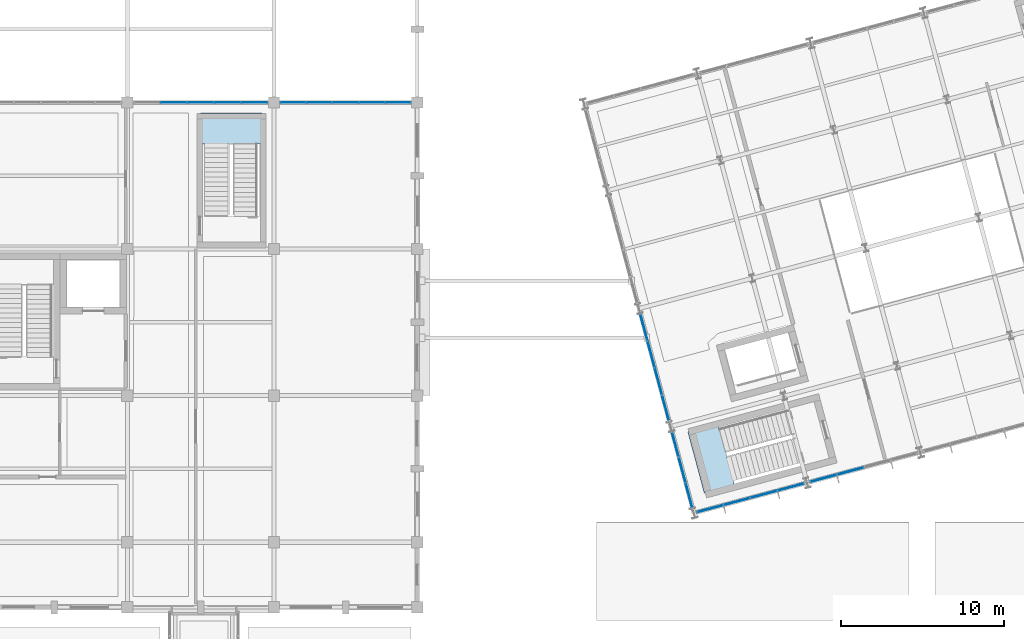
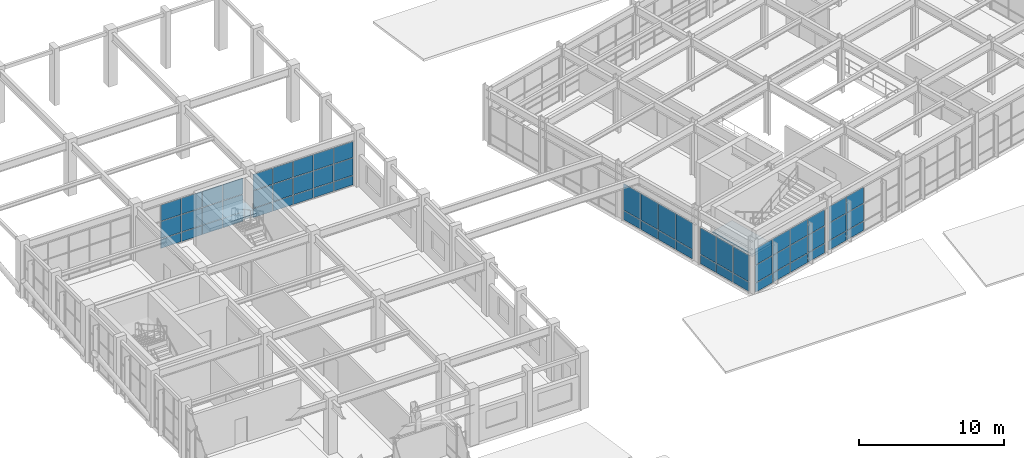
# One storey, part 73 of 104: 59 plates, 2 slabs, 8 elements without a shape of their own.
"""IFC4 building model written with IfcOpenShell, lengths in metres."""

from ifc_helpers import new_model, si_unit, direction, frame, origin, origin_2d, place, context, subcontext, project, spatial, polyline, rectangle, outline, extrude, material, layer, layer_set, type_object, element, aggregate, save


model = new_model("IFC4")

# Units and contexts
model_context = context("Model", 3, precision=1e-05, world=origin(), true_north=direction((0.0, 1.0)))
body_context = subcontext(model_context, "Body", "Model", "MODEL_VIEW")
ifc_project = project(units=[si_unit("LENGTHUNIT", "METRE"), si_unit("AREAUNIT", "SQUARE_METRE"), si_unit("VOLUMEUNIT", "CUBIC_METRE"), si_unit("PLANEANGLEUNIT", "RADIAN"), si_unit("MASSUNIT", "GRAM", prefix="KILO")], contexts=[model_context])

# Site, building, storey
site_placement = place(None, origin())
site = spatial("IfcSite", under=ifc_project, at=site_placement, CompositionType="ELEMENT")
building_placement = place(site_placement, origin())
building = spatial("IfcBuilding", under=site, at=building_placement, Name="Ventoquebrada Cableway Terminal", CompositionType="ELEMENT")
storey_placement = place(building_placement, frame((0.0, 0.0, 4.800048828125)))
storey = spatial("IfcBuildingStorey", under=building, at=storey_placement, Name="L01", CompositionType="ELEMENT", Elevation=4.800048828125)

# Curtain wall, plates
ifc_material_1 = material(Name="Anodized thermally-broken aluminium", Category="aluminium")
ifc_layer_1 = layer(ifc_material_1, 0.159912109375)
ifc_layer_set_1 = layer_set([ifc_layer_1], Name="Anodized thermally-broken aluminium")
curtain_wall_type_1 = type_object("IfcCurtainWallType", Name="CW-T14", PredefinedType="USERDEFINED", material=ifc_layer_set_1)
curtain_wall_1_placement = place(storey_placement, origin())
curtain_wall_1 = element("IfcCurtainWall", 1, at=curtain_wall_1_placement, inside=storey, type_object=curtain_wall_type_1, Name="Unitised glazed curtain wall CW-031", ObjectType="UNITISED CURTAIN WALL", PredefinedType="USERDEFINED")
ifc_material_2 = material(Name="Double low-e laminated safety glazing", Category="glass")
ifc_layer_2 = layer(ifc_material_2, 0.031982421875)
ifc_layer_set_2 = layer_set([ifc_layer_2], Name="Double low-e laminated safety glazing")
plate_type_1 = type_object("IfcPlateType", Name="CWP-GL1", PredefinedType="CURTAIN_PANEL", material=ifc_layer_set_2)
plate_1_placement = place(storey_placement, frame((24.998046875, 95.0, 2.36328125), z_axis=(0.0, 0.0, 1.0), x_axis=(-1.0, 0.0, 0.0)))
plate_1 = element("IfcPlate", 2, at=plate_1_placement, type_object=plate_type_1, Name="Vision glazing panel PN-0305", PredefinedType="CURTAIN_PANEL", context=body_context, shape_type="SweptSolid", body=[
    extrude(rectangle(XDim=1.573974609375, YDim=0.031982421875, at=origin_2d()), origin(), (0.0, 0.0, 1.0), 1.34912109375),
])
plate_2_placement = place(storey_placement, frame((23.35791015625, 95.0, 0.875), z_axis=(0.0, 0.0, 1.0), x_axis=(-1.0, 0.0, 0.0)))
plate_2 = element("IfcPlate", 3, at=plate_2_placement, type_object=plate_type_1, Name="Vision glazing panel PN-0307", PredefinedType="CURTAIN_PANEL", context=body_context, shape_type="SweptSolid", body=[
    extrude(rectangle(XDim=1.60888671875, YDim=0.031982421875, at=origin_2d()), origin(), (0.0, 0.0, 1.0), 1.43994140625),
])
plate_3_placement = place(storey_placement, frame((21.699951171875, 95.0, 2.36328125), z_axis=(0.0, 0.0, 1.0), x_axis=(-1.0, 0.0, 0.0)))
plate_3 = element("IfcPlate", 4, at=plate_3_placement, type_object=plate_type_1, Name="Vision glazing panel PN-0311", PredefinedType="CURTAIN_PANEL", context=body_context, shape_type="SweptSolid", body=[
    extrude(rectangle(XDim=1.60888671875, YDim=0.031982421875, at=origin_2d()), origin(), (0.0, 0.0, 1.0), 1.34912109375),
])
plate_4_placement = place(storey_placement, frame((20.041015625, 95.0, 0.875), z_axis=(0.0, 0.0, 1.0), x_axis=(-1.0, 0.0, 0.0)))
plate_4 = element("IfcPlate", 5, at=plate_4_placement, type_object=plate_type_1, Name="Vision glazing panel PN-0313", PredefinedType="CURTAIN_PANEL", context=body_context, shape_type="SweptSolid", body=[
    extrude(rectangle(XDim=1.60888671875, YDim=0.031982421875, at=origin_2d()), origin(), (0.0, 0.0, 1.0), 1.43994140625),
])

ifc_layer_3 = layer(ifc_material_1, 0.159912109375)
ifc_layer_set_3 = layer_set([ifc_layer_3], Name="Anodized thermally-broken aluminium")
curtain_wall_type_2 = type_object("IfcCurtainWallType", Name="CW-T15", PredefinedType="USERDEFINED", material=ifc_layer_set_3)
curtain_wall_2_placement = place(storey_placement, origin())
curtain_wall_2 = element("IfcCurtainWall", 6, at=curtain_wall_2_placement, inside=storey, type_object=curtain_wall_type_2, Name="Unitised glazed curtain wall CW-032", ObjectType="UNITISED CURTAIN WALL", PredefinedType="USERDEFINED")
plate_5_placement = place(storey_placement, frame((33.819091796875, 95.0, 2.36328125), z_axis=(0.0, 0.0, 1.0), x_axis=(-1.0, 0.0, 0.0)))
plate_5 = element("IfcPlate", 7, at=plate_5_placement, type_object=plate_type_1, Name="Vision glazing panel PN-0320", PredefinedType="CURTAIN_PANEL", context=body_context, shape_type="SweptSolid", body=[
    extrude(rectangle(XDim=1.533935546875, YDim=0.031982421875, at=origin_2d()), origin(), (0.0, 0.0, 1.0), 1.34912109375),
])
plate_6_placement = place(storey_placement, frame((32.218017578125, 95.0, 0.875), z_axis=(0.0, 0.0, 1.0), x_axis=(-1.0, 0.0, 0.0)))
plate_6 = element("IfcPlate", 8, at=plate_6_placement, type_object=plate_type_1, Name="Vision glazing panel PN-0322", PredefinedType="CURTAIN_PANEL", context=body_context, shape_type="SweptSolid", body=[
    extrude(rectangle(XDim=1.569091796875, YDim=0.031982421875, at=origin_2d()), origin(), (0.0, 0.0, 1.0), 1.43994140625),
])
plate_7_placement = place(storey_placement, frame((30.60107421875, 95.0, 2.36328125), z_axis=(0.0, 0.0, 1.0), x_axis=(-1.0, 0.0, 0.0)))
plate_7 = element("IfcPlate", 9, at=plate_7_placement, type_object=plate_type_1, Name="Vision glazing panel PN-0326", PredefinedType="CURTAIN_PANEL", context=body_context, shape_type="SweptSolid", body=[
    extrude(rectangle(XDim=1.569091796875, YDim=0.031982421875, at=origin_2d()), origin(), (0.0, 0.0, 1.0), 1.34912109375),
])
plate_8_placement = place(storey_placement, frame((28.98193359375, 95.0, 0.875), z_axis=(0.0, 0.0, 1.0), x_axis=(-1.0, 0.0, 0.0)))
plate_8 = element("IfcPlate", 10, at=plate_8_placement, type_object=plate_type_1, Name="Vision glazing panel PN-0328", PredefinedType="CURTAIN_PANEL", context=body_context, shape_type="SweptSolid", body=[
    extrude(rectangle(XDim=1.569091796875, YDim=0.031982421875, at=origin_2d()), origin(), (0.0, 0.0, 1.0), 1.43994140625),
])
plate_9_placement = place(storey_placement, frame((27.381103515625, 95.0, 2.36328125), z_axis=(0.0, 0.0, 1.0), x_axis=(-1.0, 0.0, 0.0)))
plate_9 = element("IfcPlate", 11, at=plate_9_placement, type_object=plate_type_1, Name="Vision glazing panel PN-0332", PredefinedType="CURTAIN_PANEL", context=body_context, shape_type="SweptSolid", body=[
    extrude(rectangle(XDim=1.533935546875, YDim=0.031982421875, at=origin_2d()), origin(), (0.0, 0.0, 1.0), 1.34912109375),
])

ifc_layer_4 = layer(ifc_material_1, 0.159912109375)
ifc_layer_set_4 = layer_set([ifc_layer_4], Name="Anodized thermally-broken aluminium")
curtain_wall_type_3 = type_object("IfcCurtainWallType", Name="CW-T36", PredefinedType="USERDEFINED", material=ifc_layer_set_4)
curtain_wall_3_placement = place(storey_placement, origin())
curtain_wall_3 = element("IfcCurtainWall", 12, at=curtain_wall_3_placement, inside=storey, type_object=curtain_wall_type_3, Name="Unitised glazed curtain wall CW-083", ObjectType="UNITISED CURTAIN WALL", PredefinedType="USERDEFINED")
plate_10_placement = place(storey_placement, frame((52.986083984375, 70.053955078125, 2.369384765625), z_axis=(0.0, 0.0, 1.0), x_axis=(0.96593486019, 0.258785327773, 0.0)))
plate_10 = element("IfcPlate", 13, at=plate_10_placement, type_object=plate_type_1, Name="Vision glazing panel PN-0873", PredefinedType="CURTAIN_PANEL", context=body_context, shape_type="SweptSolid", body=[
    extrude(rectangle(XDim=1.632080078125, YDim=0.031982421875, at=origin_2d()), origin(), (0.0, 0.0, 1.0), 1.35302734375),
])
plate_11_placement = place(storey_placement, frame((54.626953125, 70.493896484375, 0.8740234375), z_axis=(0.0, 0.0, 1.0), x_axis=(0.96593486019, 0.258785327773, 0.0)))
plate_11 = element("IfcPlate", 14, at=plate_11_placement, type_object=plate_type_1, Name="Vision glazing panel PN-0875", PredefinedType="CURTAIN_PANEL", context=body_context, shape_type="SweptSolid", body=[
    extrude(rectangle(XDim=1.6669921875, YDim=0.031982421875, at=origin_2d()), origin(), (0.0, 0.0, 1.0), 1.446044921875),
])
plate_12_placement = place(storey_placement, frame((56.283935546875, 70.93798828125, 2.369384765625), z_axis=(0.0, 0.0, 1.0), x_axis=(0.96593486019, 0.258785327773, 0.0)))
plate_12 = element("IfcPlate", 15, at=plate_12_placement, type_object=plate_type_1, Name="Vision glazing panel PN-0879", PredefinedType="CURTAIN_PANEL", context=body_context, shape_type="SweptSolid", body=[
    extrude(rectangle(XDim=1.6669921875, YDim=0.031982421875, at=origin_2d()), origin(), (0.0, 0.0, 1.0), 1.35302734375),
])
plate_13_placement = place(storey_placement, frame((57.925048828125, 71.376953125, 0.8740234375), z_axis=(0.0, 0.0, 1.0), x_axis=(0.96593486019, 0.258785327773, 0.0)))
plate_13 = element("IfcPlate", 16, at=plate_13_placement, type_object=plate_type_1, Name="Vision glazing panel PN-0881", PredefinedType="CURTAIN_PANEL", context=body_context, shape_type="SweptSolid", body=[
    extrude(rectangle(XDim=1.632080078125, YDim=0.031982421875, at=origin_2d()), origin(), (0.0, 0.0, 1.0), 1.446044921875),
])

ifc_layer_5 = layer(ifc_material_1, 0.159912109375)
ifc_layer_set_5 = layer_set([ifc_layer_5], Name="Anodized thermally-broken aluminium")
curtain_wall_type_4 = type_object("IfcCurtainWallType", Name="CW-T37", PredefinedType="USERDEFINED", material=ifc_layer_set_5)
curtain_wall_4_placement = place(storey_placement, origin())
curtain_wall_4 = element("IfcCurtainWall", 17, at=curtain_wall_4_placement, inside=storey, type_object=curtain_wall_type_4, Name="Unitised glazed curtain wall CW-084", ObjectType="UNITISED CURTAIN WALL", PredefinedType="USERDEFINED")
plate_14_placement = place(storey_placement, frame((59.94091796875, 71.91796875, 2.369384765625), z_axis=(0.0, 0.0, 1.0), x_axis=(0.965961954829, 0.258684173892, 0.0)))
plate_14 = element("IfcPlate", 18, at=plate_14_placement, type_object=plate_type_1, Name="Vision glazing panel PN-0885", PredefinedType="CURTAIN_PANEL", context=body_context, shape_type="SweptSolid", body=[
    extrude(rectangle(XDim=1.631103515625, YDim=0.031982421875, at=origin_2d()), origin(), (0.0, 0.0, 1.0), 1.35302734375),
])
plate_15_placement = place(storey_placement, frame((61.58203125, 72.35791015625, 0.8740234375), z_axis=(0.0, 0.0, 1.0), x_axis=(0.965961954829, 0.258684173892, 0.0)))
plate_15 = element("IfcPlate", 19, at=plate_15_placement, type_object=plate_type_1, Name="Vision glazing panel PN-0887", PredefinedType="CURTAIN_PANEL", context=body_context, shape_type="SweptSolid", body=[
    extrude(rectangle(XDim=1.666015625, YDim=0.031982421875, at=origin_2d()), origin(), (0.0, 0.0, 1.0), 1.446044921875),
])

# Curtain wall, plate
ifc_layer_6 = layer(ifc_material_1, 0.159912109375)
ifc_layer_set_6 = layer_set([ifc_layer_6], Name="Anodized thermally-broken aluminium")
curtain_wall_type_5 = type_object("IfcCurtainWallType", Name="CW-T38", PredefinedType="USERDEFINED", material=ifc_layer_set_6)
curtain_wall_5_placement = place(storey_placement, origin())
curtain_wall_5 = element("IfcCurtainWall", 20, at=curtain_wall_5_placement, inside=storey, type_object=curtain_wall_type_5, Name="Unitised glazed curtain wall CW-093", ObjectType="UNITISED CURTAIN WALL", PredefinedType="USERDEFINED")
plate_16_placement = place(storey_placement, frame((51.26611328125, 72.44091796875, 0.8740234375), z_axis=(0.0, 0.0, 1.0), x_axis=(0.258785327773, -0.96593486019, 0.0)))
plate_16 = element("IfcPlate", 21, at=plate_16_placement, type_object=plate_type_1, Name="Vision glazing panel PN-0994", PredefinedType="CURTAIN_PANEL", context=body_context, shape_type="SweptSolid", body=[
    extrude(rectangle(XDim=1.573974609375, YDim=0.031982421875, at=origin_2d()), origin(), (0.0, 0.0, 1.0), 2.22607421875),
])

# Curtain wall, plates
ifc_layer_7 = layer(ifc_material_1, 0.159912109375)
ifc_layer_set_7 = layer_set([ifc_layer_7], Name="Anodized thermally-broken aluminium")
curtain_wall_type_6 = type_object("IfcCurtainWallType", Name="CW-T39", PredefinedType="USERDEFINED", material=ifc_layer_set_7)
curtain_wall_6_placement = place(storey_placement, origin())
curtain_wall_6 = element("IfcCurtainWall", 22, at=curtain_wall_6_placement, inside=storey, type_object=curtain_wall_type_6, Name="Unitised glazed curtain wall CW-094", ObjectType="UNITISED CURTAIN WALL", PredefinedType="USERDEFINED")
plate_17_placement = place(storey_placement, frame((49.361083984375, 79.548095703125, 0.8740234375), z_axis=(0.0, 0.0, 1.0), x_axis=(0.258734751187, -0.965948408834, 0.0)))
plate_17 = element("IfcPlate", 23, at=plate_17_placement, type_object=plate_type_1, Name="Vision glazing panel PN-1000", PredefinedType="CURTAIN_PANEL", context=body_context, shape_type="SweptSolid", body=[
    extrude(rectangle(XDim=1.66796875, YDim=0.031982421875, at=origin_2d()), origin(), (0.0, 0.0, 1.0), 2.22607421875),
])
plate_18_placement = place(storey_placement, frame((50.2451171875, 76.248046875, 0.8740234375), z_axis=(0.0, 0.0, 1.0), x_axis=(0.258734751187, -0.965948408834, 0.0)))
plate_18 = element("IfcPlate", 24, at=plate_18_placement, type_object=plate_type_1, Name="Vision glazing panel PN-1004", PredefinedType="CURTAIN_PANEL", context=body_context, shape_type="SweptSolid", body=[
    extrude(rectangle(XDim=1.633056640625, YDim=0.031982421875, at=origin_2d()), origin(), (0.0, 0.0, 1.0), 2.22607421875),
])

# Plate
ifc_layer_8 = layer(ifc_material_2, 0.0380859375)
ifc_layer_set_8 = layer_set([ifc_layer_8], Name="Double low-e laminated safety glazing")
plate_type_2 = type_object("IfcPlateType", Name="CWP-GL2", PredefinedType="CURTAIN_PANEL", material=ifc_layer_set_8)
plate_19_placement = place(storey_placement, frame((24.998046875, 95.0, 0.875), z_axis=(0.0, 0.0, 1.0), x_axis=(-1.0, 0.0, 0.0)))
plate_19 = element("IfcPlate", 25, at=plate_19_placement, type_object=plate_type_2, Name="Vision glazing panel PN-0304", PredefinedType="CURTAIN_PANEL", context=body_context, shape_type="SweptSolid", body=[
    extrude(rectangle(XDim=1.573974609375, YDim=0.0380859375, at=origin_2d()), origin(), (0.0, 0.0, 1.0), 1.43994140625),
])

plate_20_placement = place(storey_placement, frame((23.35791015625, 95.0, 2.36328125), z_axis=(0.0, 0.0, 1.0), x_axis=(-1.0, 0.0, 0.0)))
plate_20 = element("IfcPlate", 26, at=plate_20_placement, type_object=plate_type_2, Name="Vision glazing panel PN-0308", PredefinedType="CURTAIN_PANEL", context=body_context, shape_type="SweptSolid", body=[
    extrude(rectangle(XDim=1.60888671875, YDim=0.0380859375, at=origin_2d()), origin(), (0.0, 0.0, 1.0), 1.34912109375),
])

plate_21_placement = place(storey_placement, frame((21.699951171875, 95.0, 0.875), z_axis=(0.0, 0.0, 1.0), x_axis=(-1.0, 0.0, 0.0)))
plate_21 = element("IfcPlate", 27, at=plate_21_placement, type_object=plate_type_2, Name="Vision glazing panel PN-0310", PredefinedType="CURTAIN_PANEL", context=body_context, shape_type="SweptSolid", body=[
    extrude(rectangle(XDim=1.60888671875, YDim=0.0380859375, at=origin_2d()), origin(), (0.0, 0.0, 1.0), 1.43994140625),
])

plate_22_placement = place(storey_placement, frame((20.041015625, 95.0, 2.36328125), z_axis=(0.0, 0.0, 1.0), x_axis=(-1.0, 0.0, 0.0)))
plate_22 = element("IfcPlate", 28, at=plate_22_placement, type_object=plate_type_2, Name="Vision glazing panel PN-0314", PredefinedType="CURTAIN_PANEL", context=body_context, shape_type="SweptSolid", body=[
    extrude(rectangle(XDim=1.60888671875, YDim=0.0380859375, at=origin_2d()), origin(), (0.0, 0.0, 1.0), 1.34912109375),
])

plate_23_placement = place(storey_placement, frame((33.819091796875, 95.0, 0.875), z_axis=(0.0, 0.0, 1.0), x_axis=(-1.0, 0.0, 0.0)))
plate_23 = element("IfcPlate", 29, at=plate_23_placement, type_object=plate_type_2, Name="Vision glazing panel PN-0319", PredefinedType="CURTAIN_PANEL", context=body_context, shape_type="SweptSolid", body=[
    extrude(rectangle(XDim=1.533935546875, YDim=0.0380859375, at=origin_2d()), origin(), (0.0, 0.0, 1.0), 1.43994140625),
])

plate_24_placement = place(storey_placement, frame((32.218017578125, 95.0, 2.36328125), z_axis=(0.0, 0.0, 1.0), x_axis=(-1.0, 0.0, 0.0)))
plate_24 = element("IfcPlate", 30, at=plate_24_placement, type_object=plate_type_2, Name="Vision glazing panel PN-0323", PredefinedType="CURTAIN_PANEL", context=body_context, shape_type="SweptSolid", body=[
    extrude(rectangle(XDim=1.569091796875, YDim=0.0380859375, at=origin_2d()), origin(), (0.0, 0.0, 1.0), 1.34912109375),
])

plate_25_placement = place(storey_placement, frame((30.60107421875, 95.0, 0.875), z_axis=(0.0, 0.0, 1.0), x_axis=(-1.0, 0.0, 0.0)))
plate_25 = element("IfcPlate", 31, at=plate_25_placement, type_object=plate_type_2, Name="Vision glazing panel PN-0325", PredefinedType="CURTAIN_PANEL", context=body_context, shape_type="SweptSolid", body=[
    extrude(rectangle(XDim=1.569091796875, YDim=0.0380859375, at=origin_2d()), origin(), (0.0, 0.0, 1.0), 1.43994140625),
])

plate_26_placement = place(storey_placement, frame((28.98193359375, 95.0, 2.36328125), z_axis=(0.0, 0.0, 1.0), x_axis=(-1.0, 0.0, 0.0)))
plate_26 = element("IfcPlate", 32, at=plate_26_placement, type_object=plate_type_2, Name="Vision glazing panel PN-0329", PredefinedType="CURTAIN_PANEL", context=body_context, shape_type="SweptSolid", body=[
    extrude(rectangle(XDim=1.569091796875, YDim=0.0380859375, at=origin_2d()), origin(), (0.0, 0.0, 1.0), 1.34912109375),
])

plate_27_placement = place(storey_placement, frame((27.381103515625, 95.0, 0.875), z_axis=(0.0, 0.0, 1.0), x_axis=(-1.0, 0.0, 0.0)))
plate_27 = element("IfcPlate", 33, at=plate_27_placement, type_object=plate_type_2, Name="Vision glazing panel PN-0331", PredefinedType="CURTAIN_PANEL", context=body_context, shape_type="SweptSolid", body=[
    extrude(rectangle(XDim=1.533935546875, YDim=0.0380859375, at=origin_2d()), origin(), (0.0, 0.0, 1.0), 1.43994140625),
])

plate_28_placement = place(storey_placement, frame((52.986083984375, 70.053955078125, 0.8740234375), z_axis=(0.0, 0.0, 1.0), x_axis=(0.96593486019, 0.258785327773, 0.0)))
plate_28 = element("IfcPlate", 34, at=plate_28_placement, type_object=plate_type_2, Name="Vision glazing panel PN-0872", PredefinedType="CURTAIN_PANEL", context=body_context, shape_type="SweptSolid", body=[
    extrude(rectangle(XDim=1.632080078125, YDim=0.0380859375, at=origin_2d()), origin(), (0.0, 0.0, 1.0), 1.446044921875),
])

plate_29_placement = place(storey_placement, frame((54.626953125, 70.493896484375, 2.369384765625), z_axis=(0.0, 0.0, 1.0), x_axis=(0.96593486019, 0.258785327773, 0.0)))
plate_29 = element("IfcPlate", 35, at=plate_29_placement, type_object=plate_type_2, Name="Vision glazing panel PN-0876", PredefinedType="CURTAIN_PANEL", context=body_context, shape_type="SweptSolid", body=[
    extrude(rectangle(XDim=1.6669921875, YDim=0.0380859375, at=origin_2d()), origin(), (0.0, 0.0, 1.0), 1.35302734375),
])

plate_30_placement = place(storey_placement, frame((56.283935546875, 70.93798828125, 0.8740234375), z_axis=(0.0, 0.0, 1.0), x_axis=(0.96593486019, 0.258785327773, 0.0)))
plate_30 = element("IfcPlate", 36, at=plate_30_placement, type_object=plate_type_2, Name="Vision glazing panel PN-0878", PredefinedType="CURTAIN_PANEL", context=body_context, shape_type="SweptSolid", body=[
    extrude(rectangle(XDim=1.6669921875, YDim=0.0380859375, at=origin_2d()), origin(), (0.0, 0.0, 1.0), 1.446044921875),
])

plate_31_placement = place(storey_placement, frame((57.925048828125, 71.376953125, 2.369384765625), z_axis=(0.0, 0.0, 1.0), x_axis=(0.96593486019, 0.258785327773, 0.0)))
plate_31 = element("IfcPlate", 37, at=plate_31_placement, type_object=plate_type_2, Name="Vision glazing panel PN-0882", PredefinedType="CURTAIN_PANEL", context=body_context, shape_type="SweptSolid", body=[
    extrude(rectangle(XDim=1.632080078125, YDim=0.0380859375, at=origin_2d()), origin(), (0.0, 0.0, 1.0), 1.35302734375),
])

plate_32_placement = place(storey_placement, frame((59.94091796875, 71.91796875, 0.8740234375), z_axis=(0.0, 0.0, 1.0), x_axis=(0.965961954829, 0.258684173892, 0.0)))
plate_32 = element("IfcPlate", 38, at=plate_32_placement, type_object=plate_type_2, Name="Vision glazing panel PN-0884", PredefinedType="CURTAIN_PANEL", context=body_context, shape_type="SweptSolid", body=[
    extrude(rectangle(XDim=1.631103515625, YDim=0.0380859375, at=origin_2d()), origin(), (0.0, 0.0, 1.0), 1.446044921875),
])

plate_33_placement = place(storey_placement, frame((61.58203125, 72.35791015625, 2.369384765625), z_axis=(0.0, 0.0, 1.0), x_axis=(0.965961954829, 0.258684173892, 0.0)))
plate_33 = element("IfcPlate", 39, at=plate_33_placement, type_object=plate_type_2, Name="Vision glazing panel PN-0888", PredefinedType="CURTAIN_PANEL", context=body_context, shape_type="SweptSolid", body=[
    extrude(rectangle(XDim=1.666015625, YDim=0.0380859375, at=origin_2d()), origin(), (0.0, 0.0, 1.0), 1.35302734375),
])

plate_34_placement = place(storey_placement, frame((50.85009765625, 73.991943359375, 0.8740234375), z_axis=(0.0, 0.0, 1.0), x_axis=(0.258785327773, -0.96593486019, 0.0)))
plate_34 = element("IfcPlate", 40, at=plate_34_placement, type_object=plate_type_2, Name="Vision glazing panel PN-0992", PredefinedType="CURTAIN_PANEL", context=body_context, shape_type="SweptSolid", body=[
    extrude(rectangle(XDim=1.5390625, YDim=0.0380859375, at=origin_2d()), origin(), (0.0, 0.0, 1.0), 2.22607421875),
])

plate_35_placement = place(storey_placement, frame((51.680908203125, 70.888916015625, 0.8740234375), z_axis=(0.0, 0.0, 1.0), x_axis=(0.258785327773, -0.96593486019, 0.0)))
plate_35 = element("IfcPlate", 41, at=plate_35_placement, type_object=plate_type_2, Name="Vision glazing panel PN-0996", PredefinedType="CURTAIN_PANEL", context=body_context, shape_type="SweptSolid", body=[
    extrude(rectangle(XDim=1.5390625, YDim=0.0380859375, at=origin_2d()), origin(), (0.0, 0.0, 1.0), 2.22607421875),
])

plate_36_placement = place(storey_placement, frame((48.9208984375, 81.18994140625, 0.8740234375), z_axis=(0.0, 0.0, 1.0), x_axis=(0.258734751187, -0.965948408834, 0.0)))
plate_36 = element("IfcPlate", 42, at=plate_36_placement, type_object=plate_type_2, Name="Vision glazing panel PN-0998", PredefinedType="CURTAIN_PANEL", context=body_context, shape_type="SweptSolid", body=[
    extrude(rectangle(XDim=1.633056640625, YDim=0.0380859375, at=origin_2d()), origin(), (0.0, 0.0, 1.0), 2.22607421875),
])

plate_37_placement = place(storey_placement, frame((49.805908203125, 77.888916015625, 0.8740234375), z_axis=(0.0, 0.0, 1.0), x_axis=(0.258734751187, -0.965948408834, 0.0)))
plate_37 = element("IfcPlate", 43, at=plate_37_placement, type_object=plate_type_2, Name="Vision glazing panel PN-1002", PredefinedType="CURTAIN_PANEL", context=body_context, shape_type="SweptSolid", body=[
    extrude(rectangle(XDim=1.66796875, YDim=0.0380859375, at=origin_2d()), origin(), (0.0, 0.0, 1.0), 2.22607421875),
])

ifc_material_3 = material(Name="Insulated aluminium spandrel cassette", Category="aluminium")
ifc_layer_9 = layer(ifc_material_3, 0.044921875)
ifc_layer_set_9 = layer_set([ifc_layer_9], Name="Insulated aluminium spandrel cassette")
plate_type_3 = type_object("IfcPlateType", Name="CWP-SP1", PredefinedType="CURTAIN_PANEL", material=ifc_layer_set_9)
plate_38_placement = place(storey_placement, frame((24.998046875, 95.0, 0.058837890625), z_axis=(0.0, 0.0, 1.0), x_axis=(-1.0, 0.0, 0.0)))
plate_38 = element("IfcPlate", 44, at=plate_38_placement, type_object=plate_type_3, Name="Insulated spandrel panel PN-0303", PredefinedType="CURTAIN_PANEL", context=body_context, shape_type="SweptSolid", body=[
    extrude(rectangle(XDim=1.573974609375, YDim=0.044921875, at=origin_2d()), origin(), (0.0, 0.0, 1.0), 0.76611328125),
])

plate_39_placement = place(storey_placement, frame((23.35791015625, 95.0, 0.058837890625), z_axis=(0.0, 0.0, 1.0), x_axis=(-1.0, 0.0, 0.0)))
plate_39 = element("IfcPlate", 45, at=plate_39_placement, type_object=plate_type_3, Name="Insulated spandrel panel PN-0306", PredefinedType="CURTAIN_PANEL", context=body_context, shape_type="SweptSolid", body=[
    extrude(rectangle(XDim=1.60888671875, YDim=0.044921875, at=origin_2d()), origin(), (0.0, 0.0, 1.0), 0.76611328125),
])

plate_40_placement = place(storey_placement, frame((21.699951171875, 95.0, 0.058837890625), z_axis=(0.0, 0.0, 1.0), x_axis=(-1.0, 0.0, 0.0)))
plate_40 = element("IfcPlate", 46, at=plate_40_placement, type_object=plate_type_3, Name="Insulated spandrel panel PN-0309", PredefinedType="CURTAIN_PANEL", context=body_context, shape_type="SweptSolid", body=[
    extrude(rectangle(XDim=1.60888671875, YDim=0.044921875, at=origin_2d()), origin(), (0.0, 0.0, 1.0), 0.76611328125),
])

plate_41_placement = place(storey_placement, frame((20.041015625, 95.0, 0.058837890625), z_axis=(0.0, 0.0, 1.0), x_axis=(-1.0, 0.0, 0.0)))
plate_41 = element("IfcPlate", 47, at=plate_41_placement, type_object=plate_type_3, Name="Insulated spandrel panel PN-0312", PredefinedType="CURTAIN_PANEL", context=body_context, shape_type="SweptSolid", body=[
    extrude(rectangle(XDim=1.60888671875, YDim=0.044921875, at=origin_2d()), origin(), (0.0, 0.0, 1.0), 0.76611328125),
])

aggregate(curtain_wall_1, [plate_38, plate_19, plate_1, plate_39, plate_2, plate_20, plate_40, plate_21, plate_3, plate_41, plate_4, plate_22])

plate_42_placement = place(storey_placement, frame((33.819091796875, 95.0, 0.058837890625), z_axis=(0.0, 0.0, 1.0), x_axis=(-1.0, 0.0, 0.0)))
plate_42 = element("IfcPlate", 48, at=plate_42_placement, type_object=plate_type_3, Name="Insulated spandrel panel PN-0318", PredefinedType="CURTAIN_PANEL", context=body_context, shape_type="SweptSolid", body=[
    extrude(rectangle(XDim=1.533935546875, YDim=0.044921875, at=origin_2d()), origin(), (0.0, 0.0, 1.0), 0.76611328125),
])

plate_43_placement = place(storey_placement, frame((32.218017578125, 95.0, 0.058837890625), z_axis=(0.0, 0.0, 1.0), x_axis=(-1.0, 0.0, 0.0)))
plate_43 = element("IfcPlate", 49, at=plate_43_placement, type_object=plate_type_3, Name="Insulated spandrel panel PN-0321", PredefinedType="CURTAIN_PANEL", context=body_context, shape_type="SweptSolid", body=[
    extrude(rectangle(XDim=1.569091796875, YDim=0.044921875, at=origin_2d()), origin(), (0.0, 0.0, 1.0), 0.76611328125),
])

plate_44_placement = place(storey_placement, frame((30.60107421875, 95.0, 0.058837890625), z_axis=(0.0, 0.0, 1.0), x_axis=(-1.0, 0.0, 0.0)))
plate_44 = element("IfcPlate", 50, at=plate_44_placement, type_object=plate_type_3, Name="Insulated spandrel panel PN-0324", PredefinedType="CURTAIN_PANEL", context=body_context, shape_type="SweptSolid", body=[
    extrude(rectangle(XDim=1.569091796875, YDim=0.044921875, at=origin_2d()), origin(), (0.0, 0.0, 1.0), 0.76611328125),
])

plate_45_placement = place(storey_placement, frame((28.98193359375, 95.0, 0.058837890625), z_axis=(0.0, 0.0, 1.0), x_axis=(-1.0, 0.0, 0.0)))
plate_45 = element("IfcPlate", 51, at=plate_45_placement, type_object=plate_type_3, Name="Insulated spandrel panel PN-0327", PredefinedType="CURTAIN_PANEL", context=body_context, shape_type="SweptSolid", body=[
    extrude(rectangle(XDim=1.569091796875, YDim=0.044921875, at=origin_2d()), origin(), (0.0, 0.0, 1.0), 0.76611328125),
])

plate_46_placement = place(storey_placement, frame((27.381103515625, 95.0, 0.058837890625), z_axis=(0.0, 0.0, 1.0), x_axis=(-1.0, 0.0, 0.0)))
plate_46 = element("IfcPlate", 52, at=plate_46_placement, type_object=plate_type_3, Name="Insulated spandrel panel PN-0330", PredefinedType="CURTAIN_PANEL", context=body_context, shape_type="SweptSolid", body=[
    extrude(rectangle(XDim=1.533935546875, YDim=0.044921875, at=origin_2d()), origin(), (0.0, 0.0, 1.0), 0.76611328125),
])

aggregate(curtain_wall_2, [plate_42, plate_23, plate_5, plate_43, plate_6, plate_24, plate_44, plate_25, plate_7, plate_45, plate_8, plate_26, plate_46, plate_27, plate_9])

plate_47_placement = place(storey_placement, frame((52.986083984375, 70.053955078125, 0.058837890625), z_axis=(0.0, 0.0, 1.0), x_axis=(0.96593486019, 0.258785327773, 0.0)))
plate_47 = element("IfcPlate", 53, at=plate_47_placement, type_object=plate_type_3, Name="Insulated spandrel panel PN-0871", PredefinedType="CURTAIN_PANEL", context=body_context, shape_type="SweptSolid", body=[
    extrude(rectangle(XDim=1.632080078125, YDim=0.044921875, at=origin_2d()), origin(), (0.0, 0.0, 1.0), 0.76611328125),
])

plate_48_placement = place(storey_placement, frame((54.626953125, 70.493896484375, 0.058837890625), z_axis=(0.0, 0.0, 1.0), x_axis=(0.96593486019, 0.258785327773, 0.0)))
plate_48 = element("IfcPlate", 54, at=plate_48_placement, type_object=plate_type_3, Name="Insulated spandrel panel PN-0874", PredefinedType="CURTAIN_PANEL", context=body_context, shape_type="SweptSolid", body=[
    extrude(rectangle(XDim=1.6669921875, YDim=0.044921875, at=origin_2d()), origin(), (0.0, 0.0, 1.0), 0.76611328125),
])

plate_49_placement = place(storey_placement, frame((56.283935546875, 70.93798828125, 0.058837890625), z_axis=(0.0, 0.0, 1.0), x_axis=(0.96593486019, 0.258785327773, 0.0)))
plate_49 = element("IfcPlate", 55, at=plate_49_placement, type_object=plate_type_3, Name="Insulated spandrel panel PN-0877", PredefinedType="CURTAIN_PANEL", context=body_context, shape_type="SweptSolid", body=[
    extrude(rectangle(XDim=1.6669921875, YDim=0.044921875, at=origin_2d()), origin(), (0.0, 0.0, 1.0), 0.76611328125),
])

plate_50_placement = place(storey_placement, frame((57.925048828125, 71.376953125, 0.058837890625), z_axis=(0.0, 0.0, 1.0), x_axis=(0.96593486019, 0.258785327773, 0.0)))
plate_50 = element("IfcPlate", 56, at=plate_50_placement, type_object=plate_type_3, Name="Insulated spandrel panel PN-0880", PredefinedType="CURTAIN_PANEL", context=body_context, shape_type="SweptSolid", body=[
    extrude(rectangle(XDim=1.632080078125, YDim=0.044921875, at=origin_2d()), origin(), (0.0, 0.0, 1.0), 0.76611328125),
])

aggregate(curtain_wall_3, [plate_47, plate_28, plate_10, plate_48, plate_11, plate_29, plate_49, plate_30, plate_12, plate_50, plate_13, plate_31])

plate_51_placement = place(storey_placement, frame((59.94091796875, 71.91796875, 0.058837890625), z_axis=(0.0, 0.0, 1.0), x_axis=(0.965961954829, 0.258684173892, 0.0)))
plate_51 = element("IfcPlate", 57, at=plate_51_placement, type_object=plate_type_3, Name="Insulated spandrel panel PN-0883", PredefinedType="CURTAIN_PANEL", context=body_context, shape_type="SweptSolid", body=[
    extrude(rectangle(XDim=1.631103515625, YDim=0.044921875, at=origin_2d()), origin(), (0.0, 0.0, 1.0), 0.76611328125),
])

plate_52_placement = place(storey_placement, frame((61.58203125, 72.35791015625, 0.058837890625), z_axis=(0.0, 0.0, 1.0), x_axis=(0.965961954829, 0.258684173892, 0.0)))
plate_52 = element("IfcPlate", 58, at=plate_52_placement, type_object=plate_type_3, Name="Insulated spandrel panel PN-0886", PredefinedType="CURTAIN_PANEL", context=body_context, shape_type="SweptSolid", body=[
    extrude(rectangle(XDim=1.666015625, YDim=0.044921875, at=origin_2d()), origin(), (0.0, 0.0, 1.0), 0.76611328125),
])

aggregate(curtain_wall_4, [plate_51, plate_32, plate_14, plate_52, plate_15, plate_33])

plate_53_placement = place(storey_placement, frame((50.85009765625, 73.991943359375, 0.058837890625), z_axis=(0.0, 0.0, 1.0), x_axis=(0.258785327773, -0.96593486019, 0.0)))
plate_53 = element("IfcPlate", 59, at=plate_53_placement, type_object=plate_type_3, Name="Insulated spandrel panel PN-0991", PredefinedType="CURTAIN_PANEL", context=body_context, shape_type="SweptSolid", body=[
    extrude(rectangle(XDim=1.5390625, YDim=0.044921875, at=origin_2d()), origin(), (0.0, 0.0, 1.0), 0.76611328125),
])

plate_54_placement = place(storey_placement, frame((51.26611328125, 72.44091796875, 0.058837890625), z_axis=(0.0, 0.0, 1.0), x_axis=(0.258785327773, -0.96593486019, 0.0)))
plate_54 = element("IfcPlate", 60, at=plate_54_placement, type_object=plate_type_3, Name="Insulated spandrel panel PN-0993", PredefinedType="CURTAIN_PANEL", context=body_context, shape_type="SweptSolid", body=[
    extrude(rectangle(XDim=1.573974609375, YDim=0.044921875, at=origin_2d()), origin(), (0.0, 0.0, 1.0), 0.76611328125),
])

plate_55_placement = place(storey_placement, frame((51.680908203125, 70.888916015625, 0.058837890625), z_axis=(0.0, 0.0, 1.0), x_axis=(0.258785327773, -0.96593486019, 0.0)))
plate_55 = element("IfcPlate", 61, at=plate_55_placement, type_object=plate_type_3, Name="Insulated spandrel panel PN-0995", PredefinedType="CURTAIN_PANEL", context=body_context, shape_type="SweptSolid", body=[
    extrude(rectangle(XDim=1.5390625, YDim=0.044921875, at=origin_2d()), origin(), (0.0, 0.0, 1.0), 0.76611328125),
])

aggregate(curtain_wall_5, [plate_53, plate_34, plate_54, plate_16, plate_55, plate_35])

plate_56_placement = place(storey_placement, frame((48.9208984375, 81.18994140625, 0.058837890625), z_axis=(0.0, 0.0, 1.0), x_axis=(0.258734751187, -0.965948408834, 0.0)))
plate_56 = element("IfcPlate", 62, at=plate_56_placement, type_object=plate_type_3, Name="Insulated spandrel panel PN-0997", PredefinedType="CURTAIN_PANEL", context=body_context, shape_type="SweptSolid", body=[
    extrude(rectangle(XDim=1.633056640625, YDim=0.044921875, at=origin_2d()), origin(), (0.0, 0.0, 1.0), 0.76611328125),
])

plate_57_placement = place(storey_placement, frame((49.361083984375, 79.548095703125, 0.058837890625), z_axis=(0.0, 0.0, 1.0), x_axis=(0.258734751187, -0.965948408834, 0.0)))
plate_57 = element("IfcPlate", 63, at=plate_57_placement, type_object=plate_type_3, Name="Insulated spandrel panel PN-0999", PredefinedType="CURTAIN_PANEL", context=body_context, shape_type="SweptSolid", body=[
    extrude(rectangle(XDim=1.66796875, YDim=0.044921875, at=origin_2d()), origin(), (0.0, 0.0, 1.0), 0.76611328125),
])

plate_58_placement = place(storey_placement, frame((49.805908203125, 77.888916015625, 0.058837890625), z_axis=(0.0, 0.0, 1.0), x_axis=(0.258734751187, -0.965948408834, 0.0)))
plate_58 = element("IfcPlate", 64, at=plate_58_placement, type_object=plate_type_3, Name="Insulated spandrel panel PN-1001", PredefinedType="CURTAIN_PANEL", context=body_context, shape_type="SweptSolid", body=[
    extrude(rectangle(XDim=1.66796875, YDim=0.044921875, at=origin_2d()), origin(), (0.0, 0.0, 1.0), 0.76611328125),
])

plate_59_placement = place(storey_placement, frame((50.2451171875, 76.248046875, 0.058837890625), z_axis=(0.0, 0.0, 1.0), x_axis=(0.258734751187, -0.965948408834, 0.0)))
plate_59 = element("IfcPlate", 65, at=plate_59_placement, type_object=plate_type_3, Name="Insulated spandrel panel PN-1003", PredefinedType="CURTAIN_PANEL", context=body_context, shape_type="SweptSolid", body=[
    extrude(rectangle(XDim=1.633056640625, YDim=0.044921875, at=origin_2d()), origin(), (0.0, 0.0, 1.0), 0.76611328125),
])

aggregate(curtain_wall_6, [plate_56, plate_36, plate_57, plate_17, plate_58, plate_37, plate_59, plate_18])

# Stair, slab
ifc_material_4 = material(Name="Concrete C40/50", Category="concrete")
stair_type_1 = type_object("IfcStairType", Name="ST-T05", PredefinedType="HALF_TURN_STAIR", material=ifc_material_4)
stair_1_placement = place(storey_placement, origin())
stair_1 = element("IfcStair", 66, at=stair_1_placement, inside=storey, type_object=stair_type_1, Name="Protected half-turn stair ST-14", PredefinedType="HALF_TURN_STAIR")
ifc_layer_10 = layer(ifc_material_4, 0.219970703125)
ifc_layer_set_10 = layer_set([ifc_layer_10], Name="Concrete C40/50")
slab_type = type_object("IfcSlabType", Name="SL-LD1", PredefinedType="LANDING", material=ifc_layer_set_10)
slab_1_placement = place(storey_placement, frame((0.0, 0.0, 2.179931640625)))
slab_1 = element("IfcSlab", 67, at=slab_1_placement, type_object=slab_type, Name="Intermediate stair landing LDG-014", PredefinedType="LANDING", context=body_context, shape_type="SweptSolid", body=[
    extrude(outline(polyline([(25.4599609375, 92.43994140625), (25.4599609375, 94.360107421875), (21.679931640625, 94.360107421875), (21.679931640625, 92.43994140625), (25.4599609375, 92.43994140625)])), origin(), (0.0, 0.0, 1.0), 0.219970703125),
])
aggregate(stair_1, [slab_1])

stair_type_2 = type_object("IfcStairType", Name="ST-T04", PredefinedType="HALF_TURN_STAIR", material=ifc_material_4)
stair_2_placement = place(storey_placement, origin())
stair_2 = element("IfcStair", 68, at=stair_2_placement, inside=storey, type_object=stair_type_2, Name="Protected half-turn stair ST-28", PredefinedType="HALF_TURN_STAIR")
slab_2_placement = place(storey_placement, frame((0.0, 0.0, 2.179931640625)))
slab_2 = element("IfcSlab", 69, at=slab_2_placement, type_object=slab_type, Name="Intermediate stair landing LDG-028", PredefinedType="LANDING", context=body_context, shape_type="SweptSolid", body=[
    extrude(outline(polyline([(53.469970703125, 75.26708984375), (51.614990234375, 74.77001953125), (52.6201171875, 71.02197265625), (54.47412109375, 71.51904296875), (53.469970703125, 75.26708984375)])), origin(), (0.0, 0.0, 1.0), 0.219970703125),
])
aggregate(stair_2, [slab_2])

save(model, "model.ifc")
